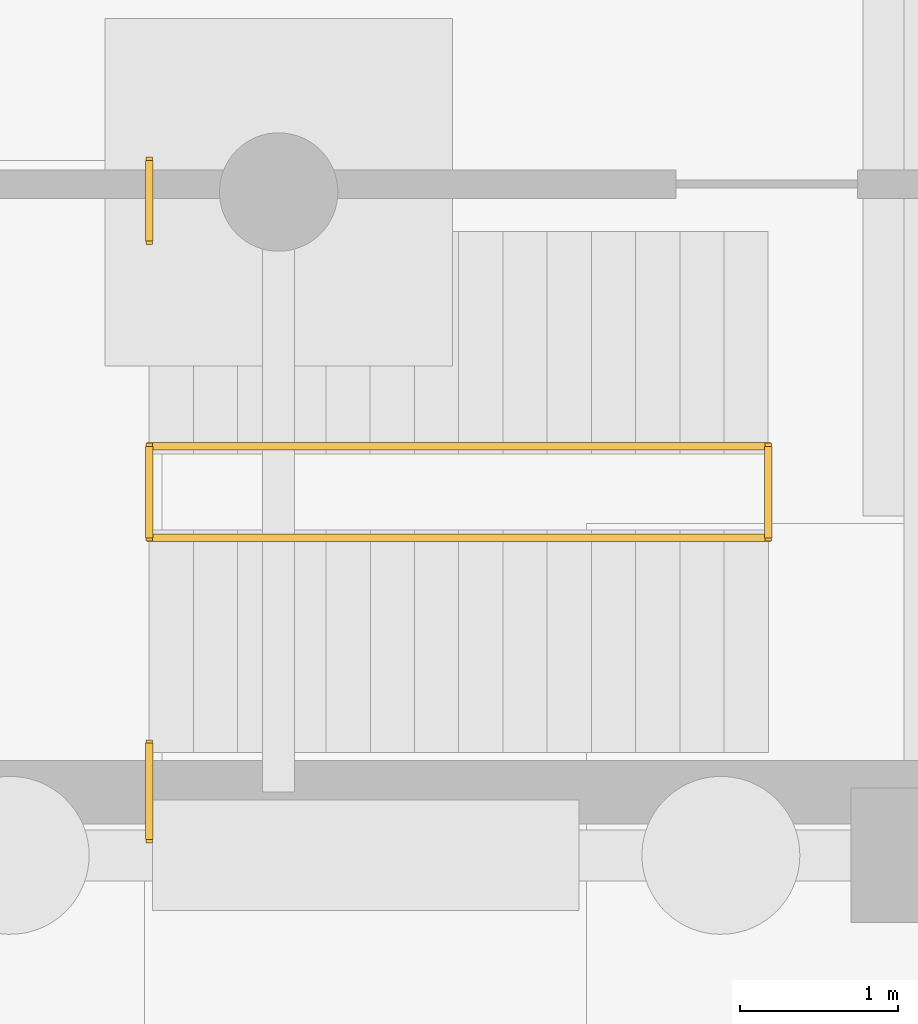
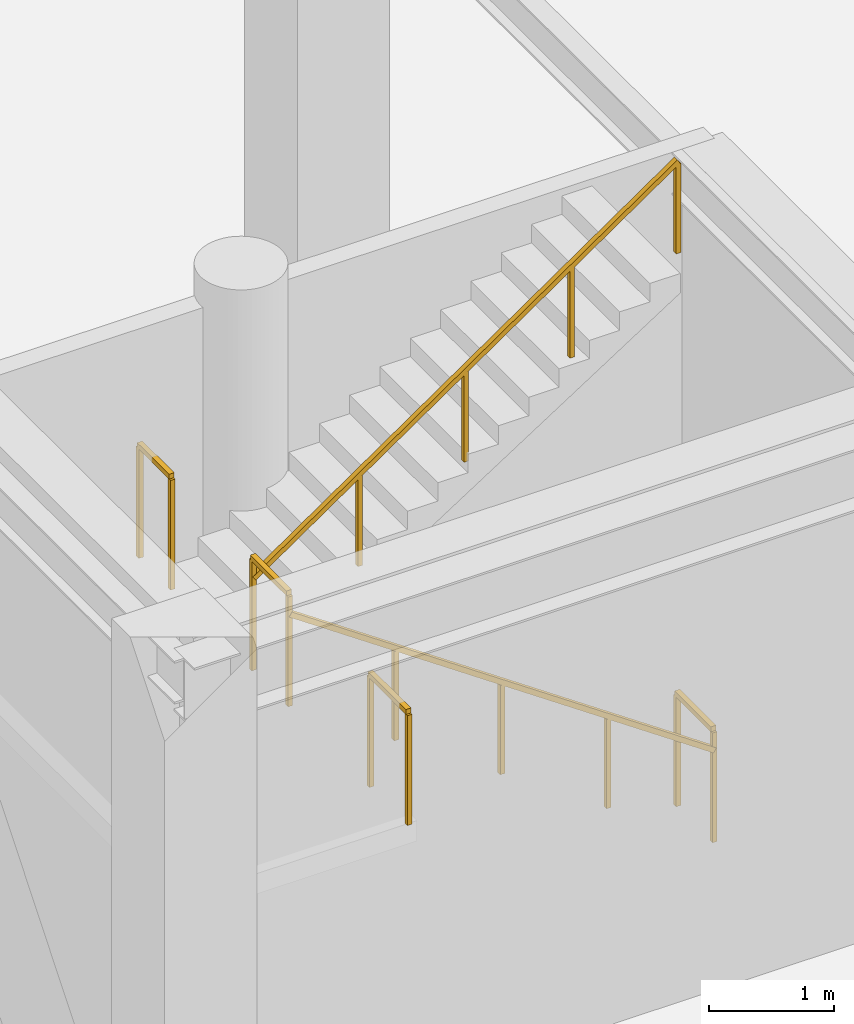
# One storey, part 18 of 22: 6 railings.
"""IFC4 building model written with IfcOpenShell, lengths in metres."""

from ifc_helpers import new_model, si_unit, direction, frame, origin, origin_2d, place, context, subcontext, project, spatial, rectangle, extrude, material, type_object, element, save


model = new_model("IFC4")

# Units and contexts
model_context = context("Model", 3, precision=1e-05, world=origin(), true_north=direction((0.0, 1.0)))
body_context = subcontext(model_context, "Body", "Model", "MODEL_VIEW")
ifc_project = project(units=[si_unit("LENGTHUNIT", "METRE"), si_unit("AREAUNIT", "SQUARE_METRE"), si_unit("VOLUMEUNIT", "CUBIC_METRE"), si_unit("PLANEANGLEUNIT", "RADIAN"), si_unit("MASSUNIT", "GRAM", prefix="KILO")], contexts=[model_context])

# Site, building, storey
site_placement = place(None, origin())
site = spatial("IfcSite", under=ifc_project, at=site_placement, CompositionType="ELEMENT")
building_placement = place(site_placement, origin())
building = spatial("IfcBuilding", under=site, at=building_placement, Name="Kazevale Care Tower and Concert Hall", CompositionType="ELEMENT")
storey_placement = place(building_placement, frame((0.0, 0.0, -5.39990234375)))
storey = spatial("IfcBuildingStorey", under=building, at=storey_placement, Name="B1", CompositionType="ELEMENT", Elevation=-5.39990234375)

# Railings
ifc_material = material(Name="Stainless Steel 316", Category="steel")
railing_type_1 = type_object("IfcRailingType", Name="Stair Pitch Handrail 920", PredefinedType="HANDRAIL", material=ifc_material)
railing_1_placement = place(storey_placement, frame((103.050048828125, 17.010009765625, 0.0)))
element("IfcRailing", 1, at=railing_1_placement, inside=storey, type_object=railing_type_1, Name="stair:B1:ST4:hr1", PredefinedType="HANDRAIL", context=body_context, shape_type="SweptSolid", body=[
    extrude(rectangle(XDim=0.048095703125, YDim=0.048095703125, at=origin_2d()), frame((0.0, 0.0, 0.89599609375), z_axis=(-0.823567234665, 0.0, 0.567218661528), x_axis=(0.0, -1.0, 0.0)), (0.0, 0.0, 1.0), 4.760009765625),
    extrude(rectangle(XDim=0.0419921875, YDim=0.0419921875, at=origin_2d()), origin(), (0.0, 0.0, 1.0), 0.871826171875),
    extrude(rectangle(XDim=0.0419921875, YDim=0.0419921875, at=origin_2d()), frame((-0.97998046875, 0.0, 0.675048828125)), (0.0, 0.0, 1.0), 0.871826171875),
    extrude(rectangle(XDim=0.0419921875, YDim=0.0419921875, at=origin_2d()), frame((-1.9599609375, 0.0, 1.35009765625)), (0.0, 0.0, 1.0), 0.871826171875),
    extrude(rectangle(XDim=0.0419921875, YDim=0.0419921875, at=origin_2d()), frame((-2.940185546875, 0.0, 2.02490234375)), (0.0, 0.0, 1.0), 0.871826171875),
    extrude(rectangle(XDim=0.0419921875, YDim=0.0419921875, at=origin_2d()), frame((-3.920166015625, 0.0, 2.699951171875)), (0.0, 0.0, 1.0), 0.871826171875),
])
railing_2_placement = place(storey_placement, frame((99.1298828125, 17.590087890625, 2.699951171875)))
element("IfcRailing", 2, at=railing_2_placement, inside=storey, type_object=railing_type_1, Name="stair:B1:ST4:hr2", PredefinedType="HANDRAIL", context=body_context, shape_type="SweptSolid", body=[
    extrude(rectangle(XDim=0.048095703125, YDim=0.048095703125, at=origin_2d()), frame((0.0, 0.0, 0.89599609375), z_axis=(0.823567234665, 0.0, 0.567218661528), x_axis=(0.0, 1.0, 0.0)), (0.0, 0.0, 1.0), 4.760009765625),
    extrude(rectangle(XDim=0.0419921875, YDim=0.0419921875, at=origin_2d()), origin(), (0.0, 0.0, 1.0), 0.871826171875),
    extrude(rectangle(XDim=0.0419921875, YDim=0.0419921875, at=origin_2d()), frame((0.97998046875, 0.0, 0.675048828125)), (0.0, 0.0, 1.0), 0.871826171875),
    extrude(rectangle(XDim=0.0419921875, YDim=0.0419921875, at=origin_2d()), frame((1.9599609375, 0.0, 1.35009765625)), (0.0, 0.0, 1.0), 0.871826171875),
    extrude(rectangle(XDim=0.0419921875, YDim=0.0419921875, at=origin_2d()), frame((2.940185546875, 0.0, 2.02490234375)), (0.0, 0.0, 1.0), 0.871826171875),
    extrude(rectangle(XDim=0.0419921875, YDim=0.0419921875, at=origin_2d()), frame((3.920166015625, 0.0, 2.699951171875)), (0.0, 0.0, 1.0), 0.871826171875),
])
railing_type_2 = type_object("IfcRailingType", Name="Stair Well Guard Balustrade 1120", PredefinedType="BALUSTRADE", material=ifc_material)
railing_3_placement = place(storey_placement, frame((99.1298828125, 15.10009765625, 2.699951171875)))
element("IfcRailing", 3, at=railing_3_placement, inside=storey, type_object=railing_type_2, Name="stair:B1:ST4:grd_side1", PredefinedType="BALUSTRADE", context=body_context, shape_type="SweptSolid", body=[
    extrude(rectangle(XDim=0.048095703125, YDim=0.048095703125, at=origin_2d()), frame((0.0, 0.0, 1.09619140625), z_axis=(0.0, 1.0, 0.0), x_axis=(-1.0, 0.0, 0.0)), (0.0, 0.0, 1.0), 0.60986328125),
    extrude(rectangle(XDim=0.0419921875, YDim=0.0419921875, at=origin_2d()), origin(), (0.0, 0.0, 1.0), 1.072021484375),
    extrude(rectangle(XDim=0.0419921875, YDim=0.0419921875, at=origin_2d()), frame((0.0, 0.60986328125, 0.0)), (0.0, 0.0, 1.0), 1.072021484375),
])
railing_4_placement = place(storey_placement, frame((99.1298828125, 18.889892578125, 2.699951171875)))
element("IfcRailing", 4, at=railing_4_placement, inside=storey, type_object=railing_type_2, Name="stair:B1:ST4:grd_side2", PredefinedType="BALUSTRADE", context=body_context, shape_type="SweptSolid", body=[
    extrude(rectangle(XDim=0.048095703125, YDim=0.048095703125, at=origin_2d()), frame((0.0, 0.0, 1.09619140625), z_axis=(0.0, 1.0, 0.0), x_axis=(-1.0, 0.0, 0.0)), (0.0, 0.0, 1.0), 0.510009765625),
    extrude(rectangle(XDim=0.0419921875, YDim=0.0419921875, at=origin_2d()), origin(), (0.0, 0.0, 1.0), 1.072021484375),
    extrude(rectangle(XDim=0.0419921875, YDim=0.0419921875, at=origin_2d()), frame((0.0, 0.510009765625, 0.0)), (0.0, 0.0, 1.0), 1.072021484375),
])
for number, where, name in (
    (5, (99.1298828125, 17.010009765625, 2.699951171875), "stair:B1:ST4:grd_mid"),
    (6, (103.050048828125, 17.010009765625, 0.0), "stair:B1:ST4:grd_flr"),
):
    element("IfcRailing", number, at=place(storey_placement, frame(where)), inside=storey, type_object=railing_type_2, Name=name, PredefinedType="BALUSTRADE", context=body_context, shape_type="SweptSolid", body=[
        extrude(rectangle(XDim=0.048095703125, YDim=0.048095703125, at=origin_2d()), frame((0.0, 0.0, 1.09619140625), z_axis=(0.0, 1.0, 0.0), x_axis=(-1.0, 0.0, 0.0)), (0.0, 0.0, 1.0), 0.580078125),
        extrude(rectangle(XDim=0.0419921875, YDim=0.0419921875, at=origin_2d()), origin(), (0.0, 0.0, 1.0), 1.072021484375),
        extrude(rectangle(XDim=0.0419921875, YDim=0.0419921875, at=origin_2d()), frame((0.0, 0.580078125, 0.0)), (0.0, 0.0, 1.0), 1.072021484375),
    ])

save(model, "model.ifc")
